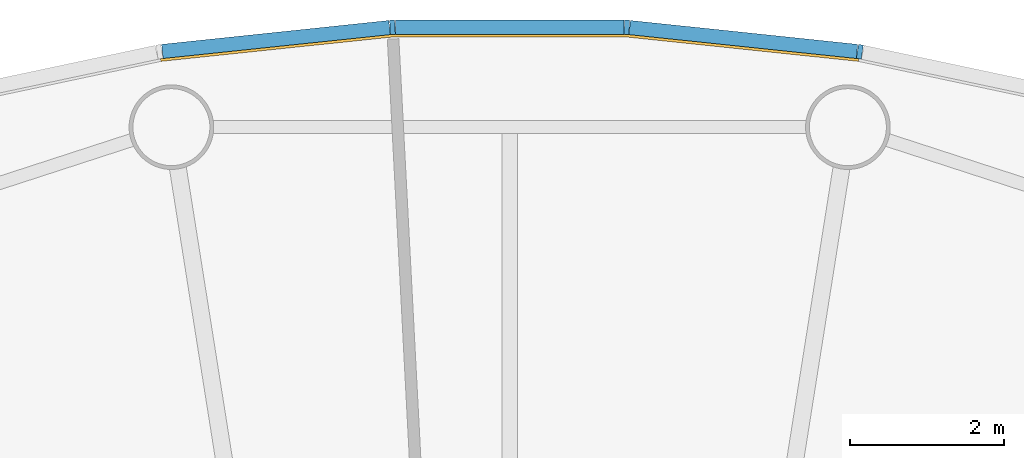
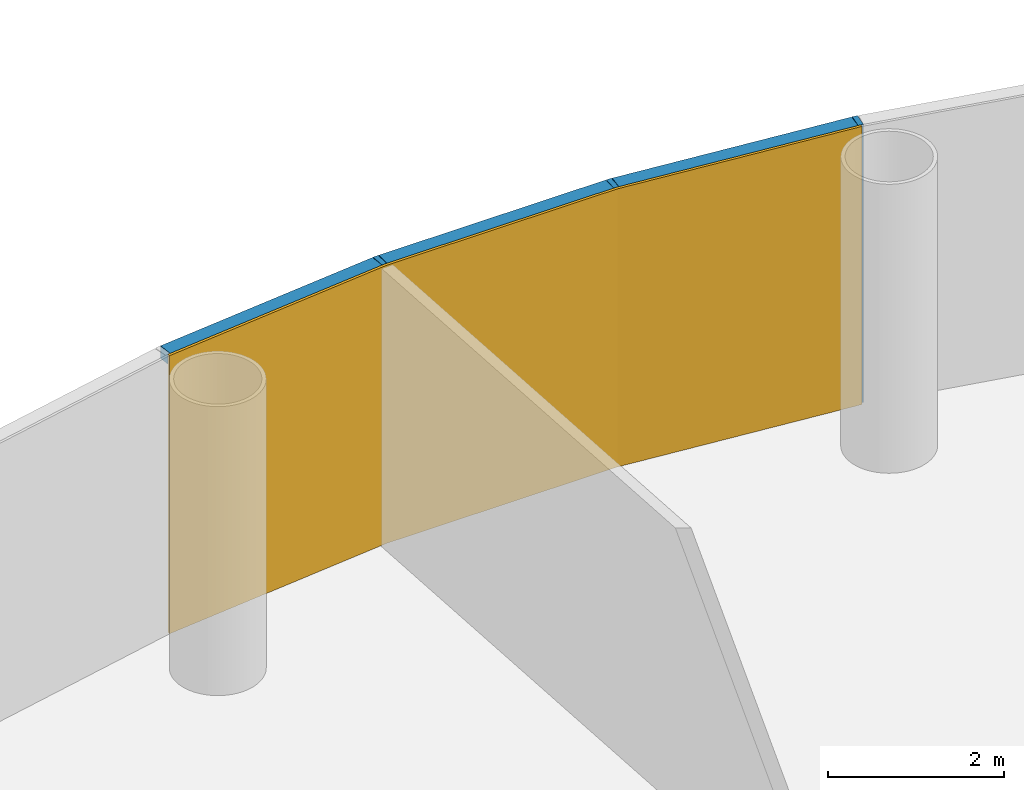
# One storey, part 11 of 13: 6 members, 1 curtain wall.
"""IFC4 building model written with IfcOpenShell, lengths in metres."""

from ifc_helpers import new_model, si_unit, direction, frame, origin, origin_2d, place, context, subcontext, project, spatial, polyline, rectangle, outline, extrude, material, layer, layer_set, material_profile, profile_set, type_object, element, aggregate, save


model = new_model("IFC4")

# Units and contexts
model_context = context("Model", 3, precision=1e-05, world=origin(), true_north=direction((0.0, 1.0)))
body_context = subcontext(model_context, "Body", "Model", "MODEL_VIEW")
ifc_project = project(units=[si_unit("LENGTHUNIT", "METRE"), si_unit("AREAUNIT", "SQUARE_METRE"), si_unit("VOLUMEUNIT", "CUBIC_METRE"), si_unit("PLANEANGLEUNIT", "RADIAN"), si_unit("MASSUNIT", "GRAM", prefix="KILO")], contexts=[model_context])

# Member
ifc_material_1 = material(Name="Anodised aluminium", Category="aluminium")
ifc_material_profile_1 = material_profile(ifc_material_1, rectangle(XDim=0.06494140625, YDim=0.18505859375, at=origin_2d()), Name="Mullion 65 x 185 mm anodised aluminium")
ifc_profile_set_1 = profile_set([ifc_material_profile_1], Name="Anodised aluminium")
member_type_1 = type_object("IfcMemberType", Name="Mullion 65 x 185 mm anodised aluminium", PredefinedType="MULLION", material=ifc_profile_set_1)
site_placement = place(None, origin())
building_placement = place(site_placement, origin())
storey_placement = place(building_placement, frame((0.0, 0.0, 184.0)))
member_1_placement = place(storey_placement, frame((94.551025390625, 108.734375, 0.0), z_axis=(0.0, 0.0, 1.0), x_axis=(-0.987688340595, 0.15643446504, 0.0)))
member_1 = element("IfcMember", 1, at=member_1_placement, type_object=member_type_1, Name="MULLION L42-12", PredefinedType="MULLION", context=body_context, shape_type="SweptSolid", body=[
    extrude(rectangle(XDim=0.06494140625, YDim=0.18505859375, at=origin_2d()), origin(), (0.0, 0.0, 1.0), 3.85009765625),
])

member_2_placement = place(storey_placement, frame((91.522705078125, 109.052734375, 0.0), z_axis=(0.0, 0.0, 1.0), x_axis=(-0.998629534755, 0.052335956243, 0.0)))
member_2 = element("IfcMember", 2, at=member_2_placement, type_object=member_type_1, Name="MULLION L42-13", PredefinedType="MULLION", context=body_context, shape_type="SweptSolid", body=[
    extrude(rectangle(XDim=0.06494140625, YDim=0.18505859375, at=origin_2d()), origin(), (0.0, 0.0, 1.0), 3.85009765625),
])

member_3_placement = place(storey_placement, frame((88.477294921875, 109.052734375, 0.0), z_axis=(0.0, 0.0, 1.0), x_axis=(-0.998629534755, -0.052335956243, 0.0)))
member_3 = element("IfcMember", 3, at=member_3_placement, type_object=member_type_1, Name="MULLION L42-14", PredefinedType="MULLION", context=body_context, shape_type="SweptSolid", body=[
    extrude(rectangle(XDim=0.06494140625, YDim=0.18505859375, at=origin_2d()), origin(), (0.0, 0.0, 1.0), 3.85009765625),
])

ifc_material_2 = material(Name="Anodised aluminium", Category="aluminium")
ifc_material_profile_2 = material_profile(ifc_material_2, rectangle(XDim=0.18505859375, YDim=0.175048828125, at=origin_2d()), Name="Transom 175 x 185 mm anodised aluminium")
ifc_profile_set_2 = profile_set([ifc_material_profile_2], Name="Anodised aluminium")
member_type_2 = type_object("IfcMemberType", Name="Transom 175 x 185 mm anodised aluminium", PredefinedType="USERDEFINED", material=ifc_profile_set_2)
member_4_placement = place(storey_placement, frame((94.513916015625, 108.73828125, 3.762451171875), z_axis=(-0.994519855197, 0.104547872381, 0.0), x_axis=(-0.104547872381, -0.994519855197, 0.0)))
member_4 = element("IfcMember", 4, at=member_4_placement, type_object=member_type_2, Name="TRANSOM L42-12", ObjectType="TRANSOM", PredefinedType="USERDEFINED", context=body_context, shape_type="SweptSolid", body=[
    extrude(rectangle(XDim=0.18505859375, YDim=0.175048828125, at=origin_2d()), origin(), (0.0, 0.0, 1.0), 2.970458984375),
])

member_5_placement = place(storey_placement, frame((91.4853515625, 109.052734375, 3.762451171875), z_axis=(-1.0, 0.0, 0.0), x_axis=(0.0, -1.0, 0.0)))
member_5 = element("IfcMember", 5, at=member_5_placement, type_object=member_type_2, Name="TRANSOM L42-13", ObjectType="TRANSOM", PredefinedType="USERDEFINED", context=body_context, shape_type="SweptSolid", body=[
    extrude(rectangle(XDim=0.18505859375, YDim=0.175048828125, at=origin_2d()), origin(), (0.0, 0.0, 1.0), 2.970703125),
])

member_6_placement = place(storey_placement, frame((88.440185546875, 109.048828125, 3.762451171875), z_axis=(-0.994519855197, -0.104547872381, 0.0), x_axis=(0.104547872381, -0.994519855197, 0.0)))
member_6 = element("IfcMember", 6, at=member_6_placement, type_object=member_type_2, Name="TRANSOM L42-14", ObjectType="TRANSOM", PredefinedType="USERDEFINED", context=body_context, shape_type="SweptSolid", body=[
    extrude(rectangle(XDim=0.18505859375, YDim=0.175048828125, at=origin_2d()), origin(), (0.0, 0.0, 1.0), 2.970458984375),
])

# Site, building, storey
site = spatial("IfcSite", under=ifc_project, at=site_placement, CompositionType="ELEMENT")
building = spatial("IfcBuilding", under=site, at=building_placement, Name="Entoto Ring Tower", CompositionType="ELEMENT")
storey = spatial("IfcBuildingStorey", under=building, at=storey_placement, Name="L42", CompositionType="ELEMENT", Elevation=184.0)

# Curtain wall
ifc_material_3 = material(Name="Clear low-iron glass", Category="glass")
ifc_layer = layer(ifc_material_3, 0.033935546875)
ifc_layer_set = layer_set([ifc_layer], Name="Clear low-iron glass")
curtain_wall_type = type_object("IfcCurtainWallType", Name="Curtain wall system CW3 glazing 34 mm", PredefinedType="NOTDEFINED", material=ifc_layer_set)
curtain_wall_placement = place(storey_placement, origin())
curtain_wall = element("IfcCurtainWall", 7, at=curtain_wall_placement, inside=storey, type_object=curtain_wall_type, Name="CW3 L42-05", PredefinedType="NOTDEFINED", context=body_context, shape_type="SweptSolid", body=[
    extrude(outline(polyline([(94.53662109375, 108.64306640625), (91.517822265625, 108.960205078125), (88.482177734375, 108.960205078125), (85.46337890625, 108.64306640625), (85.46875, 108.609375), (88.484130859375, 108.92626953125), (91.515869140625, 108.92626953125), (94.53125, 108.609375), (94.53662109375, 108.64306640625)])), origin(), (0.0, 0.0, 1.0), 3.85009765625),
])

aggregate(curtain_wall, [member_1, member_2, member_3, member_4, member_5, member_6])

save(model, "model.ifc")
